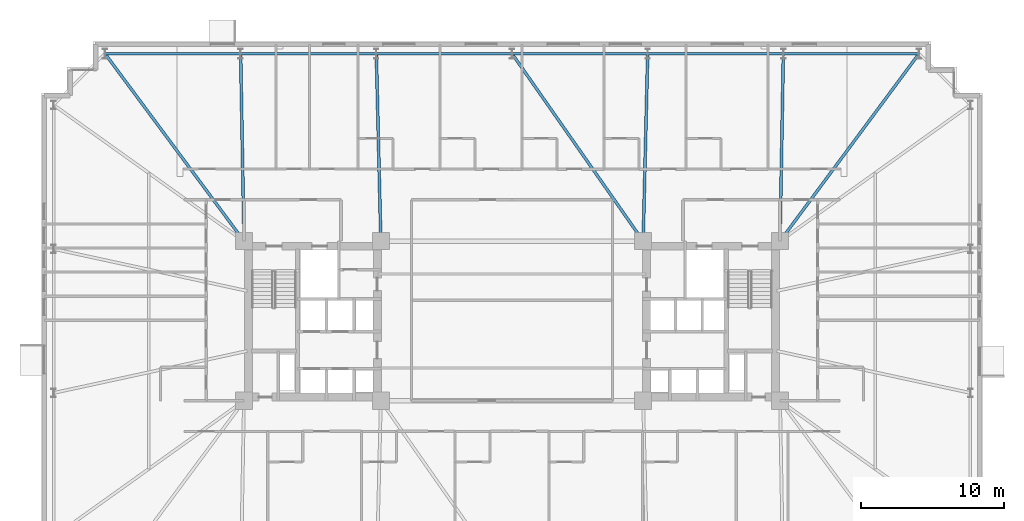
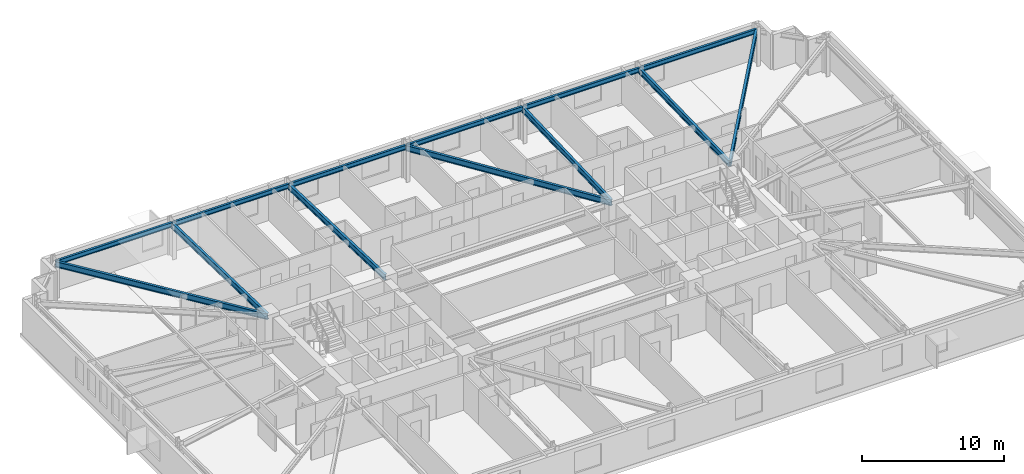
# One storey, part 9 of 22: 13 beams.
"""IFC4 building model written with IfcOpenShell, lengths in metres."""

from ifc_helpers import new_model, si_unit, direction, frame, origin, origin_2d, place, context, subcontext, project, spatial, i_section, extrude, material, material_profile, profile_set, type_object, element, save


model = new_model("IFC4")

# Units and contexts
model_context = context("Model", 3, precision=1e-05, world=origin(), true_north=direction((0.0, 1.0)))
body_context = subcontext(model_context, "Body", "Model", "MODEL_VIEW")
ifc_project = project(units=[si_unit("LENGTHUNIT", "METRE"), si_unit("AREAUNIT", "SQUARE_METRE"), si_unit("VOLUMEUNIT", "CUBIC_METRE"), si_unit("PLANEANGLEUNIT", "RADIAN"), si_unit("MASSUNIT", "GRAM", prefix="KILO")], contexts=[model_context])

# Site, building, storey
site_placement = place(None, origin())
site = spatial("IfcSite", under=ifc_project, at=site_placement, CompositionType="ELEMENT")
building_placement = place(site_placement, origin())
building = spatial("IfcBuilding", under=site, at=building_placement, Name="Qobustan Lattice House", CompositionType="ELEMENT")
storey_placement = place(building_placement, frame((0.0, 0.0, 60.5)))
storey = spatial("IfcBuildingStorey", under=building, at=storey_placement, Name="L16", CompositionType="ELEMENT", Elevation=60.5)

# Beams
ifc_material_1 = material(Name="Steel S355", Category="steel")
ifc_material_profile_1 = material_profile(ifc_material_1, i_section(OverallWidth=0.199951171875, OverallDepth=0.5, WebThickness=0.01025390625, FlangeThickness=0.01611328125, FilletRadius=0.02099609375, at=origin_2d()), Name="IPE500")
ifc_profile_set_1 = profile_set([ifc_material_profile_1], Name="Steel S355")
beam_type_1 = type_object("IfcBeamType", Name="BM-FLG-IPE500", PredefinedType="USERDEFINED", material=ifc_profile_set_1)
beam_1_placement = place(storey_placement, frame((-28.53515625, 18.72998046875, 2.784912109375), z_axis=(0.5955916815, -0.803287338956, 0.0), x_axis=(0.803287338956, 0.5955916815, 0.0)))
element("IfcBeam", 1, at=beam_1_placement, inside=storey, type_object=beam_type_1, Name="L16 primary floor girder RAD-N7W", ObjectType="GIRDER", PredefinedType="USERDEFINED", context=body_context, shape_type="SweptSolid", body=[
    extrude(i_section(OverallWidth=0.199951171875, OverallDepth=0.5, WebThickness=0.01025390625, FlangeThickness=0.01611328125, FilletRadius=0.02099609375, at=origin_2d()), origin(), (0.0, 0.0, 1.0), 16.3203125),
])
beam_2_placement = place(storey_placement, frame((-19.032958984375, 18.72509765625, 2.784912109375), z_axis=(0.017757831607, -0.999842317276, 0.0), x_axis=(0.999842317276, 0.017757831607, 0.0)))
element("IfcBeam", 2, at=beam_2_placement, inside=storey, type_object=beam_type_1, Name="L16 primary floor girder RAD-N6", ObjectType="GIRDER", PredefinedType="USERDEFINED", context=body_context, shape_type="SweptSolid", body=[
    extrude(i_section(OverallWidth=0.199951171875, OverallDepth=0.5, WebThickness=0.01025390625, FlangeThickness=0.01611328125, FilletRadius=0.02099609375, at=origin_2d()), origin(), (0.0, 0.0, 1.0), 13.10205078125),
])
beam_3_placement = place(storey_placement, frame((-9.51611328125, 18.72509765625, 2.784912109375), z_axis=(0.024071445657, -0.999710240772, 0.0), x_axis=(0.999710240772, 0.024071445657, 0.0)))
element("IfcBeam", 3, at=beam_3_placement, inside=storey, type_object=beam_type_1, Name="L16 primary floor girder RAD-N5", ObjectType="GIRDER", PredefinedType="USERDEFINED", context=body_context, shape_type="SweptSolid", body=[
    extrude(i_section(OverallWidth=0.199951171875, OverallDepth=0.5, WebThickness=0.01025390625, FlangeThickness=0.01611328125, FilletRadius=0.02099609375, at=origin_2d()), origin(), (0.0, 0.0, 1.0), 13.10400390625),
])
beam_4_placement = place(storey_placement, frame((0.014404296875, 18.7294921875, 2.784912109375), z_axis=(0.57325954206, -0.819373844736, 0.0), x_axis=(0.819373844736, 0.57325954206, 0.0)))
element("IfcBeam", 4, at=beam_4_placement, inside=storey, type_object=beam_type_1, Name="L16 primary floor girder RAD-N4", ObjectType="GIRDER", PredefinedType="USERDEFINED", context=body_context, shape_type="SweptSolid", body=[
    extrude(i_section(OverallWidth=0.199951171875, OverallDepth=0.5, WebThickness=0.01025390625, FlangeThickness=0.01611328125, FilletRadius=0.02099609375, at=origin_2d()), origin(), (0.0, 0.0, 1.0), 15.998779296875),
])
beam_5_placement = place(storey_placement, frame((9.51611328125, 18.72509765625, 2.784912109375), z_axis=(-0.024071445657, -0.999710240772, 0.0), x_axis=(0.999710240772, -0.024071445657, 0.0)))
element("IfcBeam", 5, at=beam_5_placement, inside=storey, type_object=beam_type_1, Name="L16 primary floor girder RAD-N3", ObjectType="GIRDER", PredefinedType="USERDEFINED", context=body_context, shape_type="SweptSolid", body=[
    extrude(i_section(OverallWidth=0.199951171875, OverallDepth=0.5, WebThickness=0.01025390625, FlangeThickness=0.01611328125, FilletRadius=0.02099609375, at=origin_2d()), origin(), (0.0, 0.0, 1.0), 13.10400390625),
])
beam_6_placement = place(storey_placement, frame((19.032958984375, 18.72509765625, 2.784912109375), z_axis=(-0.017757831607, -0.999842317276, 0.0), x_axis=(0.999842317276, -0.017757831607, 0.0)))
element("IfcBeam", 6, at=beam_6_placement, inside=storey, type_object=beam_type_1, Name="L16 primary floor girder RAD-N2", ObjectType="GIRDER", PredefinedType="USERDEFINED", context=body_context, shape_type="SweptSolid", body=[
    extrude(i_section(OverallWidth=0.199951171875, OverallDepth=0.5, WebThickness=0.01025390625, FlangeThickness=0.01611328125, FilletRadius=0.02099609375, at=origin_2d()), origin(), (0.0, 0.0, 1.0), 13.10205078125),
])
beam_7_placement = place(storey_placement, frame((28.53515625, 18.72998046875, 2.784912109375), z_axis=(-0.5955916815, -0.803287338956, 0.0), x_axis=(0.803287338956, -0.5955916815, 0.0)))
element("IfcBeam", 7, at=beam_7_placement, inside=storey, type_object=beam_type_1, Name="L16 primary floor girder RAD-N1E", ObjectType="GIRDER", PredefinedType="USERDEFINED", context=body_context, shape_type="SweptSolid", body=[
    extrude(i_section(OverallWidth=0.199951171875, OverallDepth=0.5, WebThickness=0.01025390625, FlangeThickness=0.01611328125, FilletRadius=0.02099609375, at=origin_2d()), origin(), (0.0, 0.0, 1.0), 16.3203125),
])
ifc_material_2 = material(Name="Steel S355", Category="steel")
ifc_material_profile_2 = material_profile(ifc_material_2, i_section(OverallWidth=0.179931640625, OverallDepth=0.39990234375, WebThickness=0.008544921875, FlangeThickness=0.013427734375, FilletRadius=0.02099609375, at=origin_2d()), Name="IPE400")
ifc_profile_set_2 = profile_set([ifc_material_profile_2], Name="Steel S355")
beam_type_2 = type_object("IfcBeamType", Name="BM-SPD-IPE400", PredefinedType="SPANDREL", material=ifc_profile_set_2)
for number, where, z_axis, x_axis, name in (
    (8, (28.52490234375, 18.75, 2.8349609375), (-1.0, 0.0, 0.0), (0.0, -1.0, 0.0), "L16 perimeter spandrel N1-N2"),
    (9, (19.00830078125, 18.75, 2.8349609375), (-1.0, 0.0, 0.0), (0.0, -1.0, 0.0), "L16 perimeter spandrel N2-N3"),
):
    element("IfcBeam", number, at=place(storey_placement, frame(where, z_axis=z_axis, x_axis=x_axis)), inside=storey, type_object=beam_type_2, Name=name, PredefinedType="SPANDREL", context=body_context, shape_type="SweptSolid", body=[
        extrude(i_section(OverallWidth=0.179931640625, OverallDepth=0.39990234375, WebThickness=0.008544921875, FlangeThickness=0.013427734375, FilletRadius=0.02099609375, at=origin_2d()), origin(), (0.0, 0.0, 1.0), 9.466552734375),
    ])
for number, where, z_axis, x_axis, name in (
    (10, (9.49169921875, 18.75, 2.8349609375), (-1.0, 0.0, 0.0), (0.0, -1.0, 0.0), "L16 perimeter spandrel N3-N4"),
    (11, (-0.02490234375, 18.75, 2.8349609375), (-1.0, 0.0, 0.0), (0.0, -1.0, 0.0), "L16 perimeter spandrel N4-N5"),
):
    element("IfcBeam", number, at=place(storey_placement, frame(where, z_axis=z_axis, x_axis=x_axis)), inside=storey, type_object=beam_type_2, Name=name, PredefinedType="SPANDREL", context=body_context, shape_type="SweptSolid", body=[
        extrude(i_section(OverallWidth=0.179931640625, OverallDepth=0.39990234375, WebThickness=0.008544921875, FlangeThickness=0.013427734375, FilletRadius=0.02099609375, at=origin_2d()), origin(), (0.0, 0.0, 1.0), 9.466796875),
    ])
for number, where, z_axis, x_axis, name in (
    (12, (-9.541748046875, 18.75, 2.8349609375), (-1.0, 0.0, 0.0), (0.0, -1.0, 0.0), "L16 perimeter spandrel N5-N6"),
    (13, (-19.058349609375, 18.75, 2.8349609375), (-1.0, 0.0, 0.0), (0.0, -1.0, 0.0), "L16 perimeter spandrel N6-N7"),
):
    element("IfcBeam", number, at=place(storey_placement, frame(where, z_axis=z_axis, x_axis=x_axis)), inside=storey, type_object=beam_type_2, Name=name, PredefinedType="SPANDREL", context=body_context, shape_type="SweptSolid", body=[
        extrude(i_section(OverallWidth=0.179931640625, OverallDepth=0.39990234375, WebThickness=0.008544921875, FlangeThickness=0.013427734375, FilletRadius=0.02099609375, at=origin_2d()), origin(), (0.0, 0.0, 1.0), 9.466552734375),
    ])

save(model, "model.ifc")
